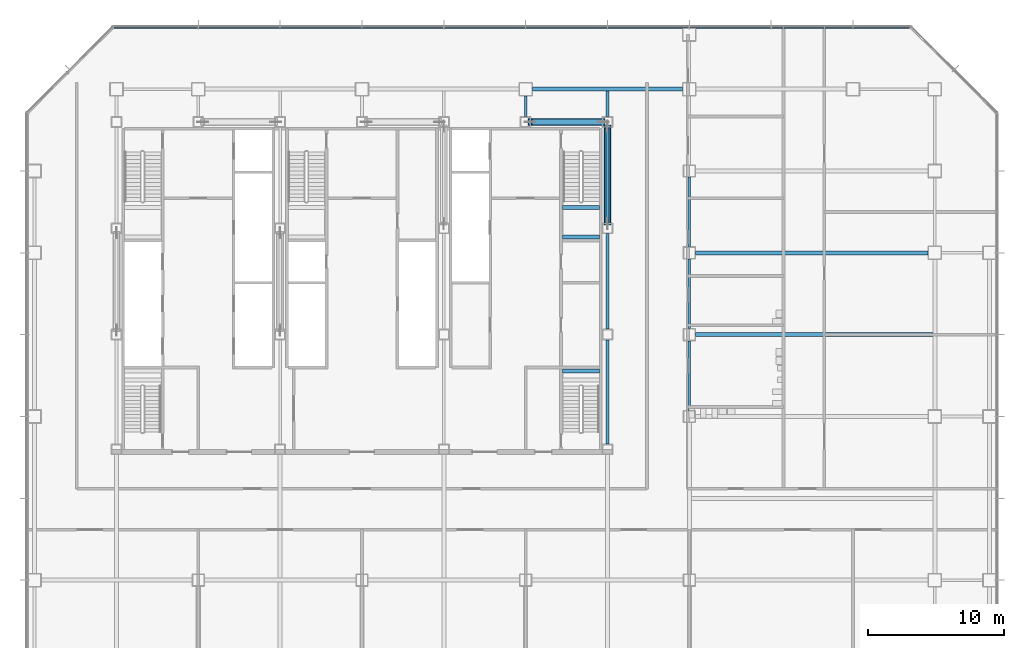
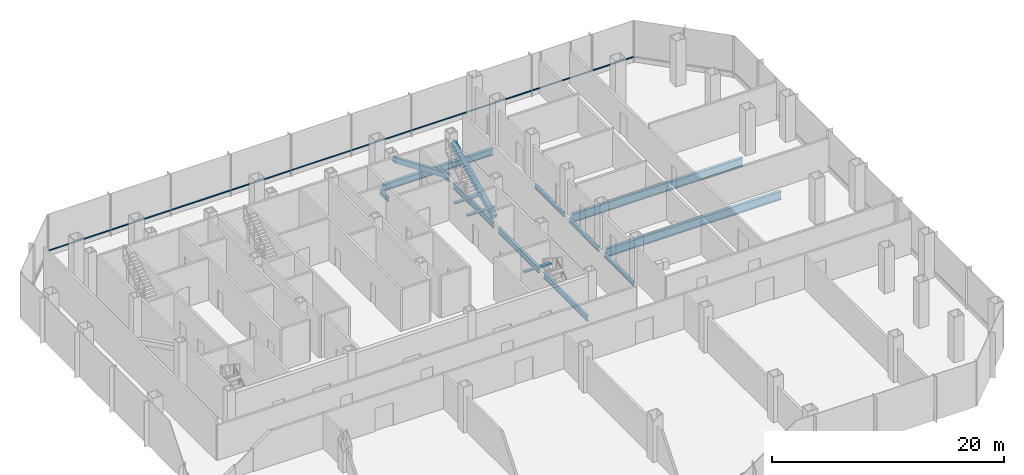
# One storey, part 15 of 33: 14 beams, 3 members, 1 element without a shape of its own.
"""IFC4 building model written with IfcOpenShell, lengths in metres."""

from ifc_helpers import new_model, si_unit, direction, frame, origin, origin_2d, place, context, subcontext, project, spatial, rectangle, hollow_rectangle, i_section, extrude, material, material_profile, profile_set, type_object, element, aggregate, save


model = new_model("IFC4")

# Units and contexts
model_context = context("Model", 3, precision=1e-05, world=origin(), true_north=direction((0.0, 1.0)))
body_context = subcontext(model_context, "Body", "Model", "MODEL_VIEW")
ifc_project = project(units=[si_unit("LENGTHUNIT", "METRE"), si_unit("AREAUNIT", "SQUARE_METRE"), si_unit("VOLUMEUNIT", "CUBIC_METRE"), si_unit("PLANEANGLEUNIT", "RADIAN"), si_unit("MASSUNIT", "GRAM", prefix="KILO")], contexts=[model_context])

# Site, building, storey
site_placement = place(None, origin())
site = spatial("IfcSite", under=ifc_project, at=site_placement, CompositionType="ELEMENT")
building_placement = place(site_placement, origin())
building = spatial("IfcBuilding", under=site, at=building_placement, Name="Sorahane Residences", CompositionType="ELEMENT")
storey_placement = place(building_placement, frame((0.0, 0.0, 25.199951171875)))
storey = spatial("IfcBuildingStorey", under=building, at=storey_placement, Name="L03", CompositionType="ELEMENT", Elevation=25.199951171875)

# Members
ifc_material_1 = material(Name="Steel Q355B", Category="steel")
ifc_material_profile_1 = material_profile(ifc_material_1, hollow_rectangle(XDim=0.5, YDim=0.5, WallThickness=0.02490234375, InnerFilletRadius=0.012451171875, OuterFilletRadius=0.03759765625, at=origin_2d()), Name="RHS 500x500x25")
ifc_profile_set_1 = profile_set([ifc_material_profile_1], Name="Steel Q355B")
member_type_1 = type_object("IfcMemberType", Name="Core brace RHS 500x500x25 Q355B", PredefinedType="BRACE", material=ifc_profile_set_1)
member_1_placement = place(storey_placement, frame((41.682861328125, 45.60009765625, 0.195068359375), z_axis=(-0.833273178454, 0.0, 0.552861474575), x_axis=(0.0, -1.0, 0.0)))
element("IfcMember", 1, at=member_1_placement, inside=storey, type_object=member_type_1, Name="Core brace L03 y45.6-6", PredefinedType="BRACE", context=body_context, shape_type="SweptSolid", body=[
    extrude(hollow_rectangle(XDim=0.5, YDim=0.5, WallThickness=0.02490234375, InnerFilletRadius=0.012451171875, OuterFilletRadius=0.03759765625, at=origin_2d()), origin(), (0.0, 0.0, 1.0), 6.439453125),
])
member_2_placement = place(storey_placement, frame((42.0, 38.1337890625, 0.21728515625), z_axis=(0.0, 0.89697311716, 0.44208509033), x_axis=(-1.0, 0.0, 0.0)))
element("IfcMember", 2, at=member_2_placement, inside=storey, type_object=member_type_1, Name="Core brace L03 x42-3", PredefinedType="BRACE", context=body_context, shape_type="SweptSolid", body=[
    extrude(hollow_rectangle(XDim=0.5, YDim=0.5, WallThickness=0.02490234375, InnerFilletRadius=0.012451171875, OuterFilletRadius=0.03759765625, at=origin_2d()), origin(), (0.0, 0.0, 1.0), 7.951904296875),
])

# Curtain wall, member
ifc_material_2 = material(Name="Dark low-e glass and black anodised aluminium", Category="aluminium")
curtain_wall_type = type_object("IfcCurtainWallType", Name="Curtain wall CW-3 Podium unitised wall", PredefinedType="NOTDEFINED", material=ifc_material_2)
curtain_wall_placement = place(storey_placement, origin())
curtain_wall = element("IfcCurtainWall", 3, at=curtain_wall_placement, inside=storey, type_object=curtain_wall_type, Name="CW-3 curtain wall L03 N1", PredefinedType="NOTDEFINED")
ifc_material_3 = material(Name="Black anodised aluminium", Category="aluminium")
ifc_material_profile_2 = material_profile(ifc_material_3, rectangle(XDim=0.10009765625, YDim=0.06005859375, at=origin_2d()), Name="Curtain wall transom CW-3 black anodised aluminium 60x100")
ifc_profile_set_2 = profile_set([ifc_material_profile_2], Name="Black anodised aluminium")
member_type_2 = type_object("IfcMemberType", Name="Curtain wall transom CW-3 black anodised aluminium 60x100", PredefinedType="USERDEFINED", material=ifc_profile_set_2)
member_3_placement = place(storey_placement, frame((64.198486328125, 52.530029296875, 0.60009765625), z_axis=(-1.0, 0.0, 0.0), x_axis=(0.0, -1.0, 0.0)))
member_3 = element("IfcMember", 4, at=member_3_placement, type_object=member_type_2, Name="CW-3 transom L03 N1", ObjectType="TRANSOM", PredefinedType="USERDEFINED", context=body_context, shape_type="SweptSolid", body=[
    extrude(rectangle(XDim=0.10009765625, YDim=0.06005859375, at=origin_2d()), origin(), (0.0, 0.0, 1.0), 58.39697265625),
])
aggregate(curtain_wall, [member_3])

# Beams
ifc_material_4 = material(Name="Concrete C40", Category="concrete")
ifc_material_profile_3 = material_profile(ifc_material_4, rectangle(XDim=0.300048828125, YDim=0.139892578125, at=origin_2d()), Name="300x140")
ifc_profile_set_3 = profile_set([ifc_material_profile_3], Name="Concrete C40")
beam_type_1 = type_object("IfcBeamType", Name="RC landing beam 300 x 140 Concrete C40", PredefinedType="BEAM", material=ifc_profile_set_3)
for number, where, z_axis, x_axis, name in (
    (5, (38.699951171875, 37.14990234375, 2.130126953125), (1.0, 0.0, 0.0), (0.0, 1.0, 0.0), "Landing beam"),
    (6, (38.699951171875, 39.31005859375, 2.130126953125), (1.0, 0.0, 0.0), (0.0, 1.0, 0.0), "Landing beam"),
    (7, (38.699951171875, 27.35009765625, 2.130126953125), (1.0, 0.0, 0.0), (0.0, 1.0, 0.0), "Landing beam"),
):
    element("IfcBeam", number, at=place(storey_placement, frame(where, z_axis=z_axis, x_axis=x_axis)), inside=storey, type_object=beam_type_1, Name=name, PredefinedType="BEAM", context=body_context, shape_type="SweptSolid", body=[
        extrude(rectangle(XDim=0.300048828125, YDim=0.139892578125, at=origin_2d()), origin(), (0.0, 0.0, 1.0), 2.699951171875),
    ])
ifc_material_5 = material(Name="Steel Q355B", Category="steel")
ifc_material_profile_4 = material_profile(ifc_material_5, i_section(OverallWidth=0.199951171875, OverallDepth=0.449951171875, WebThickness=0.009033203125, FlangeThickness=0.013916015625, FilletRadius=0.02001953125, at=origin_2d()), Name="HN 450x200x9x14")
ifc_profile_set_4 = profile_set([ifc_material_profile_4], Name="Steel Q355B")
beam_type_2 = type_object("IfcBeamType", Name="Steel floor beam HN 450x200x9x14 Q355B", PredefinedType="BEAM", material=ifc_profile_set_4)
beam_1_placement = place(storey_placement, frame((36.0, 46.0, -0.625), z_axis=(0.0, 1.0, 0.0), x_axis=(-1.0, 0.0, 0.0)))
element("IfcBeam", 8, at=beam_1_placement, inside=storey, type_object=beam_type_2, Name="Beam L03 055", PredefinedType="BEAM", context=body_context, shape_type="SweptSolid", body=[
    extrude(i_section(OverallWidth=0.199951171875, OverallDepth=0.449951171875, WebThickness=0.009033203125, FlangeThickness=0.013916015625, FilletRadius=0.02001953125, at=origin_2d()), origin(), (0.0, 0.0, 1.0), 1.5),
])
beam_2_placement = place(storey_placement, frame((42.0, 46.0, -0.625), z_axis=(0.0, 1.0, 0.0), x_axis=(-1.0, 0.0, 0.0)))
element("IfcBeam", 9, at=beam_2_placement, inside=storey, type_object=beam_type_2, Name="Beam L03 061", PredefinedType="BEAM", context=body_context, shape_type="SweptSolid", body=[
    extrude(i_section(OverallWidth=0.199951171875, OverallDepth=0.449951171875, WebThickness=0.009033203125, FlangeThickness=0.013916015625, FilletRadius=0.02001953125, at=origin_2d()), origin(), (0.0, 0.0, 1.0), 1.85009765625),
])
for number, where, z_axis, x_axis, name in (
    (10, (48.0, 24.449951171875, -0.625), (0.0, 1.0, 0.0), (-1.0, 0.0, 0.0), "Beam L03 065"),
    (11, (48.0, 30.449951171875, -0.625), (0.0, 1.0, 0.0), (-1.0, 0.0, 0.0), "Beam L03 066"),
    (12, (48.0, 36.449951171875, -0.625), (0.0, 1.0, 0.0), (-1.0, 0.0, 0.0), "Beam L03 067"),
):
    element("IfcBeam", number, at=place(storey_placement, frame(where, z_axis=z_axis, x_axis=x_axis)), inside=storey, type_object=beam_type_2, Name=name, PredefinedType="BEAM", context=body_context, shape_type="SweptSolid", body=[
        extrude(i_section(OverallWidth=0.199951171875, OverallDepth=0.449951171875, WebThickness=0.009033203125, FlangeThickness=0.013916015625, FilletRadius=0.02001953125, at=origin_2d()), origin(), (0.0, 0.0, 1.0), 5.10009765625),
    ])
ifc_material_6 = material(Name="Steel Q355B", Category="steel")
ifc_material_profile_5 = material_profile(ifc_material_6, i_section(OverallWidth=0.199951171875, OverallDepth=0.60009765625, WebThickness=0.010986328125, FlangeThickness=0.01708984375, FilletRadius=0.02392578125, at=origin_2d()), Name="HN 600x200x11x17")
ifc_profile_set_5 = profile_set([ifc_material_profile_5], Name="Steel Q355B")
beam_type_3 = type_object("IfcBeamType", Name="Steel floor beam HN 600x200x11x17 Q355B", PredefinedType="BEAM", material=ifc_profile_set_5)
beam_3_placement = place(storey_placement, frame((42.0, 22.0, -0.699951171875), z_axis=(0.0, 1.0, 0.0), x_axis=(-1.0, 0.0, 0.0)))
element("IfcBeam", 13, at=beam_3_placement, inside=storey, type_object=beam_type_3, Name="Beam L03 058", PredefinedType="BEAM", context=body_context, shape_type="SweptSolid", body=[
    extrude(i_section(OverallWidth=0.199951171875, OverallDepth=0.60009765625, WebThickness=0.010986328125, FlangeThickness=0.01708984375, FilletRadius=0.02392578125, at=origin_2d()), origin(), (0.0, 0.0, 1.0), 7.60009765625),
])
for number, where, z_axis, x_axis, name in (
    (14, (42.0, 30.39990234375, -0.699951171875), (0.0, 1.0, 0.0), (-1.0, 0.0, 0.0), "Beam L03 059"),
    (15, (42.0, 38.199951171875, -0.699951171875), (0.0, 1.0, 0.0), (-1.0, 0.0, 0.0), "Beam L03 060"),
):
    element("IfcBeam", number, at=place(storey_placement, frame(where, z_axis=z_axis, x_axis=x_axis)), inside=storey, type_object=beam_type_3, Name=name, PredefinedType="BEAM", context=body_context, shape_type="SweptSolid", body=[
        extrude(i_section(OverallWidth=0.199951171875, OverallDepth=0.60009765625, WebThickness=0.010986328125, FlangeThickness=0.01708984375, FilletRadius=0.02392578125, at=origin_2d()), origin(), (0.0, 0.0, 1.0), 7.0),
    ])
ifc_material_7 = material(Name="Steel Q355B", Category="steel")
ifc_material_profile_6 = material_profile(ifc_material_7, i_section(OverallWidth=0.300048828125, OverallDepth=0.699951171875, WebThickness=0.012939453125, FlangeThickness=0.02392578125, FilletRadius=0.028076171875, at=origin_2d()), Name="HN 700x300x13x24")
ifc_profile_set_6 = profile_set([ifc_material_profile_6], Name="Steel Q355B")
beam_type_4 = type_object("IfcBeamType", Name="Steel floor beam HN 700x300x13x24 Q355B", PredefinedType="BEAM", material=ifc_profile_set_6)
beam_4_placement = place(storey_placement, frame((36.5, 48.0, -0.75), z_axis=(1.0, 0.0, 0.0), x_axis=(0.0, 1.0, 0.0)))
element("IfcBeam", 16, at=beam_4_placement, inside=storey, type_object=beam_type_4, Name="Beam L03 021", PredefinedType="BEAM", context=body_context, shape_type="SweptSolid", body=[
    extrude(i_section(OverallWidth=0.300048828125, OverallDepth=0.699951171875, WebThickness=0.012939453125, FlangeThickness=0.02392578125, FilletRadius=0.028076171875, at=origin_2d()), origin(), (0.0, 0.0, 1.0), 11.0),
])
ifc_material_8 = material(Name="Steel Q355B", Category="steel")
ifc_material_profile_7 = material_profile(ifc_material_8, i_section(OverallWidth=0.300048828125, OverallDepth=0.89990234375, WebThickness=0.01611328125, FlangeThickness=0.028076171875, FilletRadius=0.028076171875, at=origin_2d()), Name="HN 900x300x16x28")
ifc_profile_set_7 = profile_set([ifc_material_profile_7], Name="Steel Q355B")
beam_type_5 = type_object("IfcBeamType", Name="Steel floor beam HN 900x300x16x28 Q355B", PredefinedType="BEAM", material=ifc_profile_set_7)
beam_5_placement = place(storey_placement, frame((48.449951171875, 36.0, -0.849853515625), z_axis=(1.0, 0.0, 0.0), x_axis=(0.0, 1.0, 0.0)))
element("IfcBeam", 17, at=beam_5_placement, inside=storey, type_object=beam_type_5, Name="Beam L03 016", PredefinedType="BEAM", context=body_context, shape_type="SweptSolid", body=[
    extrude(i_section(OverallWidth=0.300048828125, OverallDepth=0.89990234375, WebThickness=0.01611328125, FlangeThickness=0.028076171875, FilletRadius=0.028076171875, at=origin_2d()), origin(), (0.0, 0.0, 1.0), 17.050048828125),
])
beam_6_placement = place(storey_placement, frame((48.4501953125, 30.0, -0.849853515625), z_axis=(1.0, 0.0, 0.0), x_axis=(0.0, 1.0, 0.0)))
element("IfcBeam", 18, at=beam_6_placement, inside=storey, type_object=beam_type_5, Name="Beam L03 085", PredefinedType="BEAM", context=body_context, shape_type="SweptSolid", body=[
    extrude(i_section(OverallWidth=0.300048828125, OverallDepth=0.89990234375, WebThickness=0.01611328125, FlangeThickness=0.028076171875, FilletRadius=0.028076171875, at=origin_2d()), origin(), (0.0, 0.0, 1.0), 17.399658203125),
])

save(model, "model.ifc")
